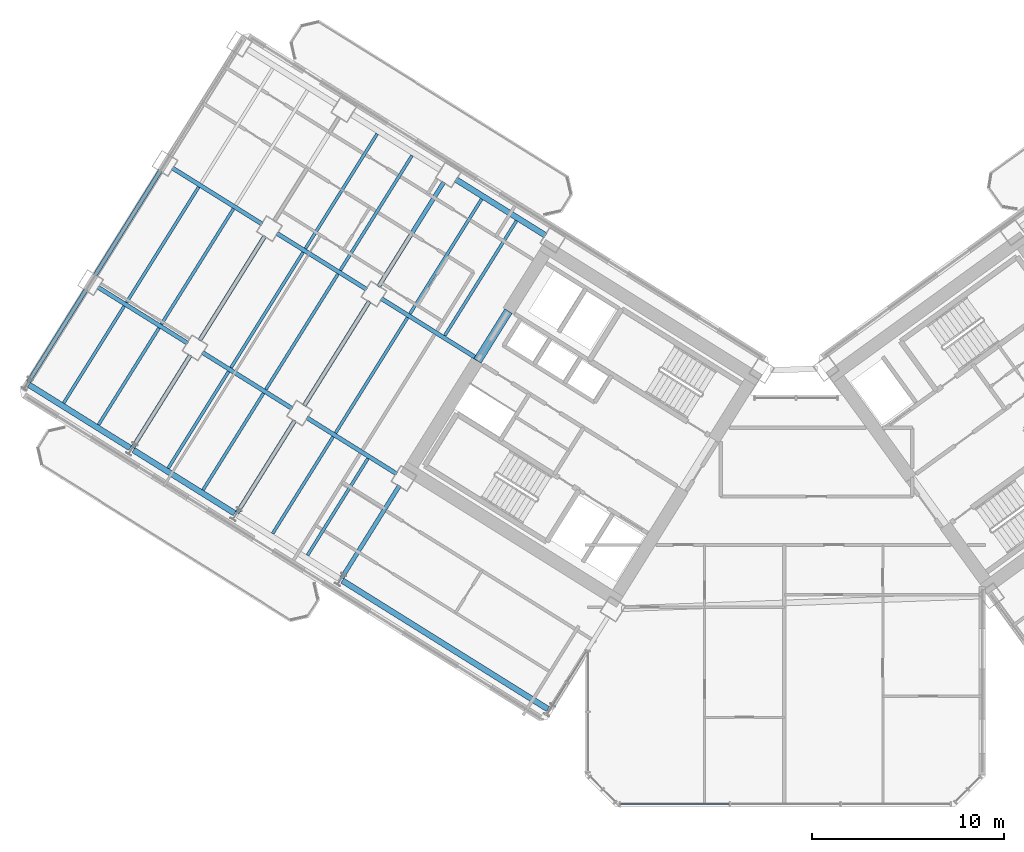
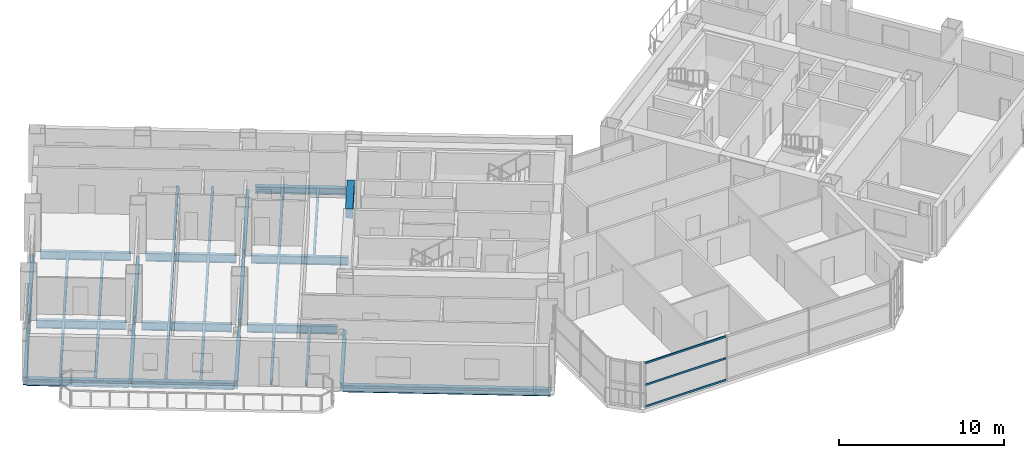
# One storey, part 6 of 28: 34 beams, 3 members, 1 element without a shape of its own.
"""IFC4 building model written with IfcOpenShell, lengths in metres."""

from ifc_helpers import new_model, si_unit, direction, frame, origin, origin_2d, place, context, subcontext, project, spatial, rectangle, hollow_rectangle, i_section, extrude, source, transform, mapped, material, material_profile, profile_set, type_object, element, aggregate, save


model = new_model("IFC4")

# Units and contexts
model_context = context("Model", 3, precision=1e-05, world=origin(), true_north=direction((0.0, 1.0)))
body_context = subcontext(model_context, "Body", "Model", "MODEL_VIEW")
ifc_project = project(units=[si_unit("LENGTHUNIT", "METRE"), si_unit("AREAUNIT", "SQUARE_METRE"), si_unit("VOLUMEUNIT", "CUBIC_METRE"), si_unit("PLANEANGLEUNIT", "RADIAN"), si_unit("MASSUNIT", "GRAM", prefix="KILO")], contexts=[model_context])

# Site, building, storey
site_placement = place(None, origin())
site = spatial("IfcSite", under=ifc_project, at=site_placement, CompositionType="ELEMENT")
building_placement = place(site_placement, origin())
building = spatial("IfcBuilding", under=site, at=building_placement, Name="Tlacorven Tower", CompositionType="ELEMENT")
storey_placement = place(building_placement, frame((0.0, 0.0, 42.0)))
storey = spatial("IfcBuildingStorey", under=building, at=storey_placement, Name="L10", CompositionType="ELEMENT", Elevation=42.0)

# Beams
ifc_material_1 = material(Name="Concrete C60/75", Category="concrete")
ifc_material_profile_1 = material_profile(ifc_material_1, rectangle(XDim=0.449951171875, YDim=0.699951171875, at=origin_2d()), Name="RC 450X700")
ifc_profile_set_1 = profile_set([ifc_material_profile_1], Name="Concrete C60/75")
beam_type_1 = type_object("IfcBeamType", Name="BM-LNT-700", PredefinedType="LINTEL", material=ifc_profile_set_1)
shared_shape_1 = source(origin(), body_context, "Body", "SweptSolid", [
    extrude(rectangle(XDim=0.449951171875, YDim=0.699951171875, at=origin_2d()), origin(), (0.0, 0.0, 1.0), 3.0498046875),
])
beam_1_placement = place(storey_placement, frame((27.622802734375, 27.562255859375, 3.0), z_axis=(-0.529926983584, -0.848043272522, 0.0), x_axis=(0.848043272522, -0.529926983584, 0.0)))
element("IfcBeam", 1, at=beam_1_placement, inside=storey, type_object=beam_type_1, Name="L10 W core coupling lintel beam E2", PredefinedType="LINTEL", context=body_context, shape_type="MappedRepresentation", body=[
    mapped(shared_shape_1, transform((0.0, 0.0, 0.0), scale=1.0)),
])
ifc_material_2 = material(Name="Steel S355J2", Category="steel")
ifc_material_profile_2 = material_profile(ifc_material_2, i_section(OverallWidth=0.300048828125, OverallDepth=0.489990234375, WebThickness=0.011962890625, FlangeThickness=0.02294921875, at=origin_2d()), Name="HEA 500")
ifc_profile_set_2 = profile_set([ifc_material_profile_2], Name="Steel S355J2")
beam_type_2 = type_object("IfcBeamType", Name="BM-SPN-500", PredefinedType="SPANDREL", material=ifc_profile_set_2)
shared_shape_2 = source(origin(), body_context, "Body", "SweptSolid", [
    extrude(i_section(OverallWidth=0.300048828125, OverallDepth=0.489990234375, WebThickness=0.011962890625, FlangeThickness=0.02294921875, at=origin_2d()), origin(), (0.0, 0.0, 1.0), 5.5),
])
beam_2_placement = place(storey_placement, frame((29.54638671875, 31.48974609375, -0.4951171875), z_axis=(-0.848050668838, 0.52991514706, 0.0), x_axis=(-0.52991514706, -0.848050668838, 0.0)))
element("IfcBeam", 2, at=beam_2_placement, inside=storey, type_object=beam_type_2, Name="L10 beam BM-L10-WL1-3", PredefinedType="SPANDREL", context=body_context, shape_type="MappedRepresentation", body=[
    mapped(shared_shape_2, transform((0.0, 0.0, 0.0), scale=1.0)),
])
ifc_material_profile_3 = material_profile(ifc_material_2, i_section(OverallWidth=0.219970703125, OverallDepth=0.60009765625, WebThickness=0.011962890625, FlangeThickness=0.01904296875, at=origin_2d()), Name="IPE 600")
ifc_profile_set_3 = profile_set([ifc_material_profile_3], Name="Steel S355J2")
beam_type_3 = type_object("IfcBeamType", Name="BM-TWR-600", PredefinedType="BEAM", material=ifc_profile_set_3)
shared_shape_3 = source(origin(), body_context, "Body", "SweptSolid", [
    extrude(i_section(OverallWidth=0.219970703125, OverallDepth=0.60009765625, WebThickness=0.011962890625, FlangeThickness=0.01904296875, at=origin_2d()), origin(), (0.0, 0.0, 1.0), 5.909912109375),
])
beam_3_placement = place(storey_placement, frame((26.025634765625, 25.081787109375, -0.550048828125), z_axis=(-0.848047036595, 0.529920959883, 0.0), x_axis=(-0.529920959883, -0.848047036595, 0.0)))
element("IfcBeam", 3, at=beam_3_placement, inside=storey, type_object=beam_type_3, Name="L10 beam BM-L10-WL2-3", PredefinedType="BEAM", context=body_context, shape_type="MappedRepresentation", body=[
    mapped(shared_shape_3, transform((0.0, 0.0, 0.0), scale=1.0)),
])
shared_shape_4 = source(origin(), body_context, "Body", "SweptSolid", [
    extrude(i_section(OverallWidth=0.219970703125, OverallDepth=0.60009765625, WebThickness=0.011962890625, FlangeThickness=0.01904296875, at=origin_2d()), origin(), (0.0, 0.0, 1.0), 5.5),
])
for number, where, z_axis, x_axis, name in (
    (4, (20.25048828125, 28.690673828125, -0.550048828125), (-0.848050668838, 0.52991514706, 0.0), (-0.52991514706, -0.848050668838, 0.0), "L10 beam BM-L10-WL2-4"),
    (5, (14.822998046875, 32.08203125, -0.550048828125), (-0.848050668838, 0.52991514706, 0.0), (-0.52991514706, -0.848050668838, 0.0), "L10 beam BM-L10-WL2-5"),
    (6, (21.8095703125, 19.1083984375, -0.550048828125), (-0.848050668838, 0.52991514706, 0.0), (-0.52991514706, -0.848050668838, 0.0), "L10 beam BM-L10-WL3-3"),
    (7, (16.382080078125, 22.499755859375, -0.550048828125), (-0.848050668838, 0.52991514706, 0.0), (-0.52991514706, -0.848050668838, 0.0), "L10 beam BM-L10-WL3-4"),
    (8, (10.95458984375, 25.891357421875, -0.550048828125), (-0.848050668838, 0.52991514706, 0.0), (-0.52991514706, -0.848050668838, 0.0), "L10 beam BM-L10-WL3-5"),
):
    element("IfcBeam", number, at=place(storey_placement, frame(where, z_axis=z_axis, x_axis=x_axis)), inside=storey, type_object=beam_type_3, Name=name, PredefinedType="BEAM", context=body_context, shape_type="MappedRepresentation", body=[
        mapped(shared_shape_4, transform((0.0, 0.0, 0.0), scale=1.0)),
    ])
shared_shape_5 = source(origin(), body_context, "Body", "SweptSolid", [
    extrude(i_section(OverallWidth=0.300048828125, OverallDepth=0.489990234375, WebThickness=0.011962890625, FlangeThickness=0.02294921875, at=origin_2d()), origin(), (0.0, 0.0, 1.0), 12.599853515625),
])
beam_4_placement = place(storey_placement, frame((29.67578125, 6.882080078125, -0.4951171875), z_axis=(-0.848045108756, 0.529924045043, 0.0), x_axis=(-0.529924045043, -0.848045108756, 0.0)))
element("IfcBeam", 9, at=beam_4_placement, inside=storey, type_object=beam_type_2, Name="L10 beam BM-L10-WL4-1", PredefinedType="SPANDREL", context=body_context, shape_type="MappedRepresentation", body=[
    mapped(shared_shape_5, transform((0.0, 0.0, 0.0), scale=1.0)),
])
shared_shape_6 = source(origin(), body_context, "Body", "SweptSolid", [
    extrude(i_section(OverallWidth=0.300048828125, OverallDepth=0.489990234375, WebThickness=0.011962890625, FlangeThickness=0.02294921875, at=origin_2d()), origin(), (0.0, 0.0, 1.0), 6.199951171875),
])
for number, where, z_axis, x_axis, name in (
    (10, (13.393310546875, 17.056396484375, -0.4951171875), (-0.848033697614, 0.529942306022, 0.0), (-0.529942306022, -0.848033697614, 0.0), "L10 beam BM-L10-WL4-4"),
    (11, (7.9658203125, 20.447998046875, -0.4951171875), (-0.848051394107, 0.529913986372, 0.0), (-0.529913986372, -0.848051394107, 0.0), "L10 beam BM-L10-WL4-5"),
):
    element("IfcBeam", number, at=place(storey_placement, frame(where, z_axis=z_axis, x_axis=x_axis)), inside=storey, type_object=beam_type_2, Name=name, PredefinedType="SPANDREL", context=body_context, shape_type="MappedRepresentation", body=[
        mapped(shared_shape_6, transform((0.0, 0.0, 0.0), scale=1.0)),
    ])
shared_shape_7 = source(origin(), body_context, "Body", "SweptSolid", [
    extrude(i_section(OverallWidth=0.219970703125, OverallDepth=0.60009765625, WebThickness=0.011962890625, FlangeThickness=0.01904296875, at=origin_2d()), origin(), (0.0, 0.0, 1.0), 5.650146484375),
])
for number, where, z_axis, x_axis, name in (
    (12, (21.95263671875, 18.48828125, -0.550048828125), (-0.529929025184, -0.848041996759, 0.0), (0.848041996759, -0.529929025184, 0.0), "L10 beam BM-L10-WT3-2"),
    (13, (16.525146484375, 21.879638671875, -0.550048828125), (-0.529929025184, -0.848041996759, 0.0), (0.848041996759, -0.529929025184, 0.0), "L10 beam BM-L10-WT4-3"),
    (14, (11.09765625, 25.271240234375, -0.550048828125), (-0.529929025184, -0.848041996759, 0.0), (0.848041996759, -0.529929025184, 0.0), "L10 beam BM-L10-WT5-3"),
    (15, (5.670166015625, 28.66259765625, -0.550048828125), (-0.529929025184, -0.848041996759, 0.0), (0.848041996759, -0.529929025184, 0.0), "L10 beam BM-L10-WT6-3"),
):
    element("IfcBeam", number, at=place(storey_placement, frame(where, z_axis=z_axis, x_axis=x_axis)), inside=storey, type_object=beam_type_3, Name=name, PredefinedType="BEAM", context=body_context, shape_type="MappedRepresentation", body=[
        mapped(shared_shape_7, transform((0.0, 0.0, 0.0), scale=1.0)),
    ])
shared_shape_8 = source(origin(), body_context, "Body", "SweptSolid", [
    extrude(i_section(OverallWidth=0.219970703125, OverallDepth=0.60009765625, WebThickness=0.011962890625, FlangeThickness=0.01904296875, at=origin_2d()), origin(), (0.0, 0.0, 1.0), 6.39990234375),
])
for number, where, z_axis, x_axis, name in (
    (16, (24.261962890625, 34.26123046875, -0.550048828125), (-0.529906354247, -0.848056163074, 0.0), (0.848056163074, -0.529906354247, 0.0), "L10 beam BM-L10-WT4-1"),
    (17, (20.3935546875, 28.070556640625, -0.550048828125), (-0.529906354247, -0.848056163074, 0.0), (0.848056163074, -0.529906354247, 0.0), "L10 beam BM-L10-WT4-2"),
):
    element("IfcBeam", number, at=place(storey_placement, frame(where, z_axis=z_axis, x_axis=x_axis)), inside=storey, type_object=beam_type_3, Name=name, PredefinedType="BEAM", context=body_context, shape_type="MappedRepresentation", body=[
        mapped(shared_shape_8, transform((0.0, 0.0, 0.0), scale=1.0)),
    ])
shared_shape_9 = source(origin(), body_context, "Body", "SweptSolid", [
    extrude(i_section(OverallWidth=0.219970703125, OverallDepth=0.60009765625, WebThickness=0.011962890625, FlangeThickness=0.01904296875, at=origin_2d()), origin(), (0.0, 0.0, 1.0), 6.400146484375),
])
for number, where, z_axis, x_axis, name in (
    (18, (14.966064453125, 31.4619140625, -0.550048828125), (-0.529933789039, -0.848039019877, 0.0), (0.848039019877, -0.529933789039, 0.0), "L10 beam BM-L10-WT5-2"),
    (19, (9.53857421875, 34.853515625, -0.550048828125), (-0.529933789039, -0.848039019877, 0.0), (0.848039019877, -0.529933789039, 0.0), "L10 beam BM-L10-WT6-2"),
):
    element("IfcBeam", number, at=place(storey_placement, frame(where, z_axis=z_axis, x_axis=x_axis)), inside=storey, type_object=beam_type_3, Name=name, PredefinedType="BEAM", context=body_context, shape_type="MappedRepresentation", body=[
        mapped(shared_shape_9, transform((0.0, 0.0, 0.0), scale=1.0)),
    ])
ifc_material_profile_4 = material_profile(ifc_material_2, i_section(OverallWidth=0.159912109375, OverallDepth=0.330078125, WebThickness=0.007568359375, FlangeThickness=0.011474609375, at=origin_2d()), Name="IPE 330")
ifc_profile_set_4 = profile_set([ifc_material_profile_4], Name="Steel S355J2")
beam_type_4 = type_object("IfcBeamType", Name="BM-JST-330", PredefinedType="JOIST", material=ifc_profile_set_4)
shared_shape_10 = source(origin(), body_context, "Body", "SweptSolid", [
    extrude(i_section(OverallWidth=0.159912109375, OverallDepth=0.330078125, WebThickness=0.007568359375, FlangeThickness=0.011474609375, at=origin_2d()), origin(), (0.0, 0.0, 1.0), 7.030029296875),
])
for number, where, z_axis, x_axis, name in (
    (20, (28.03662109375, 32.25048828125, -0.4150390625), (-0.529911532383, -0.848052927504, 0.0), (0.848052927504, -0.529911532383, 0.0), "L10 beam BM-L10-WJ3-1-1"),
    (21, (26.2275390625, 33.380859375, -0.4150390625), (-0.529927139185, -0.84804317529, 0.0), (0.84804317529, -0.529927139185, 0.0), "L10 beam BM-L10-WJ3-1-2"),
    (22, (22.609130859375, 35.641845703125, -0.4150390625), (-0.529927139185, -0.84804317529, 0.0), (0.84804317529, -0.529927139185, 0.0), "L10 beam BM-L10-WJ4-1-1"),
    (23, (20.800048828125, 36.7724609375, -0.4150390625), (-0.529911532383, -0.848052927504, 0.0), (0.848052927504, -0.529911532383, 0.0), "L10 beam BM-L10-WJ4-1-2"),
):
    element("IfcBeam", number, at=place(storey_placement, frame(where, z_axis=z_axis, x_axis=x_axis)), inside=storey, type_object=beam_type_4, Name=name, PredefinedType="JOIST", context=body_context, shape_type="MappedRepresentation", body=[
        mapped(shared_shape_10, transform((0.0, 0.0, 0.0), scale=1.0)),
    ])
shared_shape_11 = source(origin(), body_context, "Body", "SweptSolid", [
    extrude(i_section(OverallWidth=0.159912109375, OverallDepth=0.330078125, WebThickness=0.007568359375, FlangeThickness=0.011474609375, at=origin_2d()), origin(), (0.0, 0.0, 1.0), 5.93017578125),
])
for number, where, z_axis, x_axis, name in (
    (24, (20.321044921875, 19.90283203125, -0.4150390625), (-0.529899018132, -0.848060746989, 0.0), (0.848060746989, -0.529899018132, 0.0), "L10 beam BM-L10-WJ3-3-1"),
    (25, (18.51171875, 21.033447265625, -0.4150390625), (-0.529899018132, -0.848060746989, 0.0), (0.848060746989, -0.529899018132, 0.0), "L10 beam BM-L10-WJ3-3-2"),
    (26, (9.466064453125, 26.685791015625, -0.4150390625), (-0.529928626913, -0.848042245633, 0.0), (0.848042245633, -0.529928626913, 0.0), "L10 beam BM-L10-WJ5-3-1"),
    (27, (7.65673828125, 27.81640625, -0.4150390625), (-0.529899018132, -0.848060746989, 0.0), (0.848060746989, -0.529899018132, 0.0), "L10 beam BM-L10-WJ5-3-2"),
):
    element("IfcBeam", number, at=place(storey_placement, frame(where, z_axis=z_axis, x_axis=x_axis)), inside=storey, type_object=beam_type_4, Name=name, PredefinedType="JOIST", context=body_context, shape_type="MappedRepresentation", body=[
        mapped(shared_shape_11, transform((0.0, 0.0, 0.0), scale=1.0)),
    ])
shared_shape_12 = source(origin(), body_context, "Body", "SweptSolid", [
    extrude(i_section(OverallWidth=0.159912109375, OverallDepth=0.330078125, WebThickness=0.007568359375, FlangeThickness=0.011474609375, at=origin_2d()), origin(), (0.0, 0.0, 1.0), 7.070068359375),
])
for number, where, z_axis, x_axis, name in (
    (28, (22.380126953125, 27.22412109375, -0.4150390625), (-0.529890296319, -0.84806619663, 0.0), (0.84806619663, -0.529890296319, 0.0), "L10 beam BM-L10-WJ3-2-2"),
    (29, (18.761962890625, 29.485107421875, -0.4150390625), (-0.529915131461, -0.848050678585, 0.0), (0.848050678585, -0.529915131461, 0.0), "L10 beam BM-L10-WJ4-2-1"),
    (30, (13.33447265625, 32.87646484375, -0.4150390625), (-0.529930649952, -0.848040981463, 0.0), (0.848040981463, -0.529930649952, 0.0), "L10 beam BM-L10-WJ5-2-1"),
    (31, (11.525146484375, 34.007080078125, -0.4150390625), (-0.529930649952, -0.848040981463, 0.0), (0.848040981463, -0.529930649952, 0.0), "L10 beam BM-L10-WJ5-2-2"),
):
    element("IfcBeam", number, at=place(storey_placement, frame(where, z_axis=z_axis, x_axis=x_axis)), inside=storey, type_object=beam_type_4, Name=name, PredefinedType="JOIST", context=body_context, shape_type="MappedRepresentation", body=[
        mapped(shared_shape_12, transform((0.0, 0.0, 0.0), scale=1.0)),
    ])
shared_shape_13 = source(origin(), body_context, "Body", "SweptSolid", [
    extrude(i_section(OverallWidth=0.159912109375, OverallDepth=0.330078125, WebThickness=0.007568359375, FlangeThickness=0.011474609375, at=origin_2d()), origin(), (0.0, 0.0, 1.0), 5.929931640625),
])
for number, where, z_axis, x_axis, name in (
    (32, (14.8935546875, 23.294189453125, -0.4150390625), (-0.529917519894, -0.848049186138, 0.0), (0.848049186138, -0.529917519894, 0.0), "L10 beam BM-L10-WJ4-3-1"),
    (33, (13.084228515625, 24.4248046875, -0.4150390625), (-0.529917519894, -0.848049186138, 0.0), (0.848049186138, -0.529917519894, 0.0), "L10 beam BM-L10-WJ4-3-2"),
):
    element("IfcBeam", number, at=place(storey_placement, frame(where, z_axis=z_axis, x_axis=x_axis)), inside=storey, type_object=beam_type_4, Name=name, PredefinedType="JOIST", context=body_context, shape_type="MappedRepresentation", body=[
        mapped(shared_shape_13, transform((0.0, 0.0, 0.0), scale=1.0)),
    ])
shared_shape_14 = source(origin(), body_context, "Body", "SweptSolid", [
    extrude(i_section(OverallWidth=0.159912109375, OverallDepth=0.330078125, WebThickness=0.007568359375, FlangeThickness=0.011474609375, at=origin_2d()), origin(), (0.0, 0.0, 1.0), 7.06982421875),
])
beam_5_placement = place(storey_placement, frame((16.95263671875, 30.615478515625, -0.4150390625), z_axis=(-0.52990581465, -0.84805650024, 0.0), x_axis=(0.84805650024, -0.52990581465, 0.0)))
element("IfcBeam", 34, at=beam_5_placement, inside=storey, type_object=beam_type_4, Name="L10 beam BM-L10-WJ4-2-2", PredefinedType="JOIST", context=body_context, shape_type="MappedRepresentation", body=[
    mapped(shared_shape_14, transform((0.0, 0.0, 0.0), scale=1.0)),
])

# Curtain wall, members
ifc_material_3 = material(Name="Dark solar low-E double glazing in aluminium frame", Category="aluminium")
curtain_wall_type = type_object("IfcCurtainWallType", Name="CW-TWR-LOW", PredefinedType="USERDEFINED", material=ifc_material_3)
curtain_wall_placement = place(storey_placement, origin())
curtain_wall = element("IfcCurtainWall", 35, at=curtain_wall_placement, inside=storey, type_object=curtain_wall_type, Name="L10 CW-TWR-LOW Curtain Wall 52", ObjectType="UNITISED CURTAIN WALL", PredefinedType="USERDEFINED")
ifc_material_4 = material(Name="Aluminium 6063-T6 anodised", Category="aluminium")
ifc_material_profile_5 = material_profile(ifc_material_4, hollow_rectangle(XDim=0.06005859375, YDim=0.139892578125, WallThickness=0.00390625, at=origin_2d()), Name="ALU TRANSOM 60X140")
ifc_profile_set_5 = profile_set([ifc_material_profile_5], Name="Aluminium 6063-T6 anodised")
member_type = type_object("IfcMemberType", Name="CWT-02", PredefinedType="USERDEFINED", material=ifc_profile_set_5)
shared_shape_15 = source(origin(), body_context, "Body", "SweptSolid", [
    extrude(hollow_rectangle(XDim=0.06005859375, YDim=0.139892578125, WallThickness=0.00390625, at=origin_2d()), origin(), (0.0, 0.0, 1.0), 5.6748046875),
])
member_1_placement = place(storey_placement, frame((39.09912109375, 1.9599609375, 0.070068359375), z_axis=(-1.0, 0.0, 0.0), x_axis=(0.0, -1.0, 0.0)))
member_1 = element("IfcMember", 36, at=member_1_placement, type_object=member_type, Name="CW-L10-052 Transom 7", ObjectType="TRANSOM", PredefinedType="USERDEFINED", context=body_context, shape_type="MappedRepresentation", body=[
    mapped(shared_shape_15, transform((0.0, 0.0, 0.0), scale=1.0)),
])
member_2_placement = place(storey_placement, frame((39.09912109375, 1.9599609375, 1.675048828125), z_axis=(-1.0, 0.0, 0.0), x_axis=(0.0, -1.0, 0.0)))
member_2 = element("IfcMember", 37, at=member_2_placement, type_object=member_type, Name="CW-L10-052 Transom 8", ObjectType="TRANSOM", PredefinedType="USERDEFINED", context=body_context, shape_type="MappedRepresentation", body=[
    mapped(shared_shape_15, transform((0.0, 0.0, 0.0), scale=1.0)),
])
member_3_placement = place(storey_placement, frame((39.09912109375, 1.9599609375, 3.280029296875), z_axis=(-1.0, 0.0, 0.0), x_axis=(0.0, -1.0, 0.0)))
member_3 = element("IfcMember", 38, at=member_3_placement, type_object=member_type, Name="CW-L10-052 Transom 9", ObjectType="TRANSOM", PredefinedType="USERDEFINED", context=body_context, shape_type="MappedRepresentation", body=[
    mapped(shared_shape_15, transform((0.0, 0.0, 0.0), scale=1.0)),
])
aggregate(curtain_wall, [member_1, member_2, member_3])

save(model, "model.ifc")
